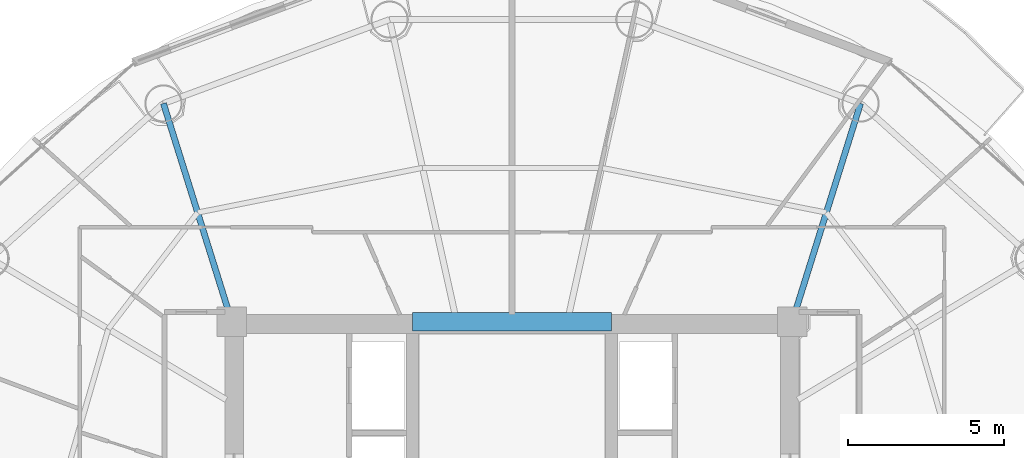
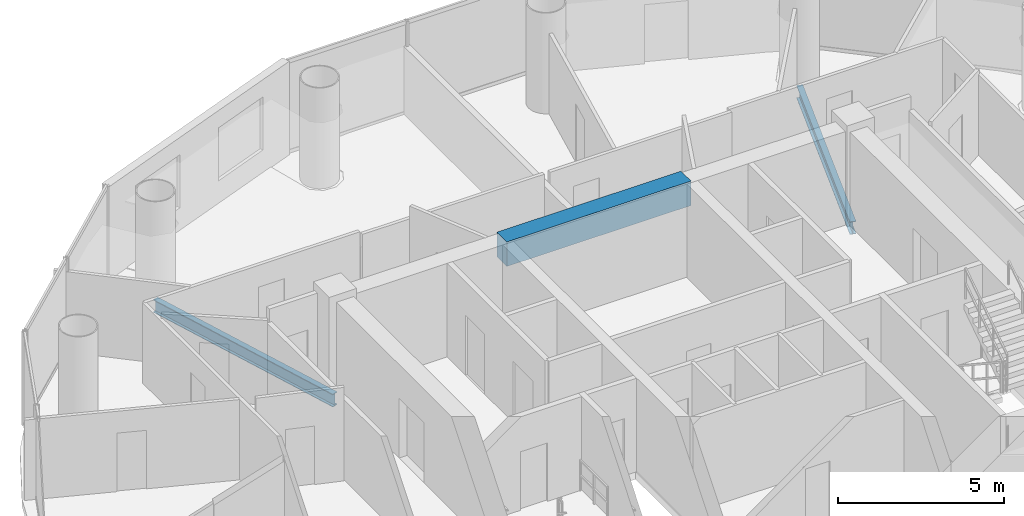
# One storey, part 9 of 27: 3 beams.
"""IFC4 building model written with IfcOpenShell, lengths in metres."""

from ifc_helpers import new_model, si_unit, direction, frame, origin, origin_2d, place, context, subcontext, project, spatial, rectangle, i_section, extrude, material, material_profile, profile_set, type_object, element, save


model = new_model("IFC4")

# Units and contexts
model_context = context("Model", 3, precision=1e-05, world=origin(), true_north=direction((-0.2419218956, 0.970295726276)))
body_context = subcontext(model_context, "Body", "Model", "MODEL_VIEW")
ifc_project = project(units=[si_unit("LENGTHUNIT", "METRE"), si_unit("AREAUNIT", "SQUARE_METRE"), si_unit("VOLUMEUNIT", "CUBIC_METRE"), si_unit("PLANEANGLEUNIT", "RADIAN"), si_unit("MASSUNIT", "GRAM", prefix="KILO")], contexts=[model_context])

# Site, building, storey
site_placement = place(None, origin())
site = spatial("IfcSite", under=ifc_project, at=site_placement, CompositionType="ELEMENT")
building_placement = place(site_placement, origin())
building = spatial("IfcBuilding", under=site, at=building_placement, Name="Cobrevalo Terracotta Tower", CompositionType="ELEMENT")
storey_placement = place(building_placement, frame((0.0, 0.0, 191.199951171875)))
storey = spatial("IfcBuildingStorey", under=building, at=storey_placement, Name="L50", CompositionType="ELEMENT", Elevation=191.199951171875)

# Beams
ifc_material_1 = material(Name="Concrete C60", Category="concrete")
ifc_material_profile_1 = material_profile(ifc_material_1, rectangle(XDim=0.60009765625, YDim=0.89990234375, at=origin_2d()), Name="RC CB 600x900")
ifc_profile_set_1 = profile_set([ifc_material_profile_1], Name="Concrete C60")
beam_type_1 = type_object("IfcBeamType", Name="Structural Beam RC CB 600x900 (Concrete C60)", PredefinedType="BEAM", material=ifc_profile_set_1)
beam_placement = place(storey_placement, frame((34.800048828125, 34.800048828125, 2.985107421875), z_axis=(1.0, 0.0, 0.0), x_axis=(0.0, 1.0, 0.0)))
element("IfcBeam", 1, at=beam_placement, inside=storey, type_object=beam_type_1, Name="L50 core coupling beam 2", PredefinedType="BEAM", context=body_context, shape_type="SweptSolid", body=[
    extrude(rectangle(XDim=0.60009765625, YDim=0.89990234375, at=origin_2d()), origin(), (0.0, 0.0, 1.0), 6.39990234375),
])
ifc_material_2 = material(Name="Steel S355", Category="steel")
ifc_material_profile_2 = material_profile(ifc_material_2, i_section(OverallWidth=0.194091796875, OverallDepth=0.468994140625, WebThickness=0.011474609375, FlangeThickness=0.0205078125, at=origin_2d()), Name="W 460x106")
ifc_profile_set_2 = profile_set([ifc_material_profile_2], Name="Steel S355")
beam_type_2 = type_object("IfcBeamType", Name="Structural Beam W 460x106 (Steel S355)", PredefinedType="BEAM", material=ifc_profile_set_2)
for number, where, z_axis, x_axis, name in (
    (2, (49.19482421875, 41.80810546875, -0.49951171875), (-0.298871212691, -0.954293454984, 0.0), (0.954293454984, -0.298871212691, 0.0), "L50 radial floor girder 03"),
    (3, (26.80517578125, 41.80810546875, -0.49951171875), (0.298871212691, -0.954293454984, 0.0), (0.954293454984, 0.298871212691, 0.0), "L50 radial floor girder 06"),
):
    element("IfcBeam", number, at=place(storey_placement, frame(where, z_axis=z_axis, x_axis=x_axis)), inside=storey, type_object=beam_type_2, Name=name, PredefinedType="BEAM", context=body_context, shape_type="SweptSolid", body=[
        extrude(i_section(OverallWidth=0.194091796875, OverallDepth=0.468994140625, WebThickness=0.011474609375, FlangeThickness=0.0205078125, at=origin_2d()), origin(), (0.0, 0.0, 1.0), 7.34375),
    ])

save(model, "model.ifc")
